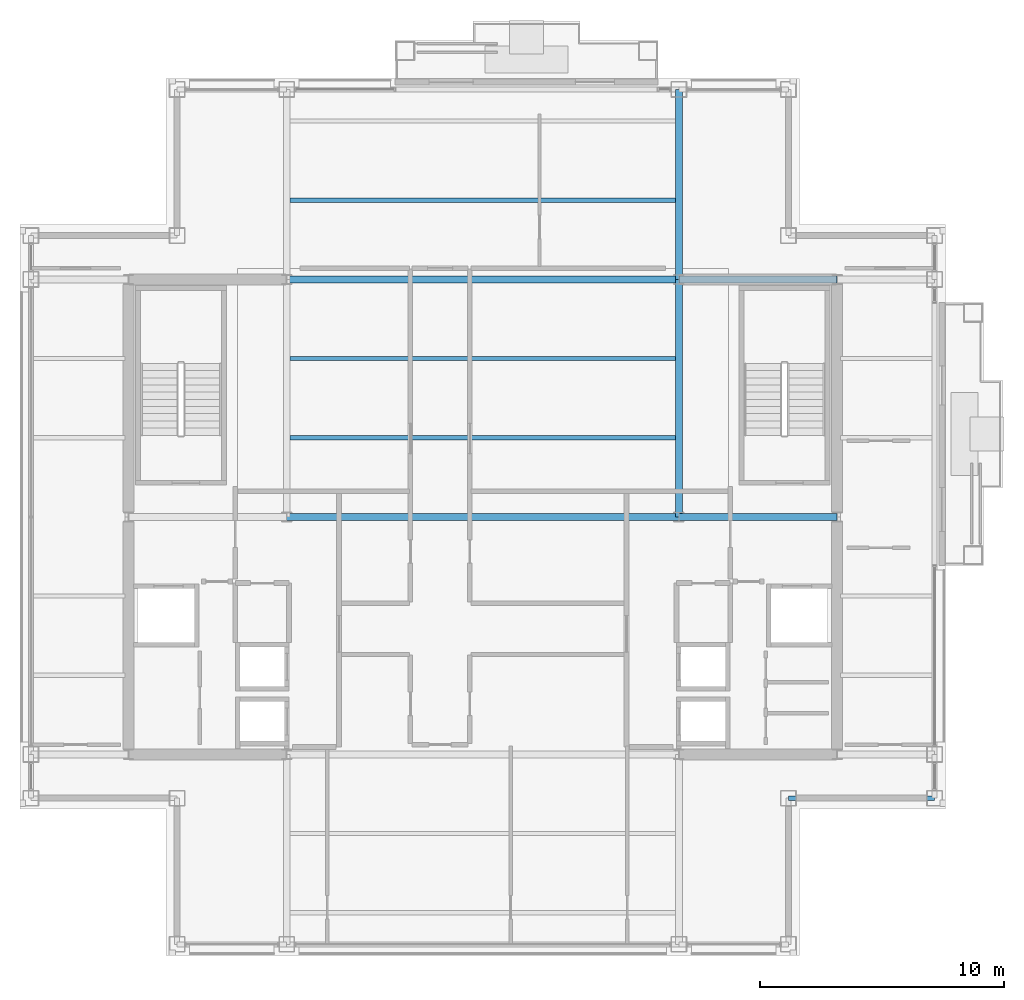
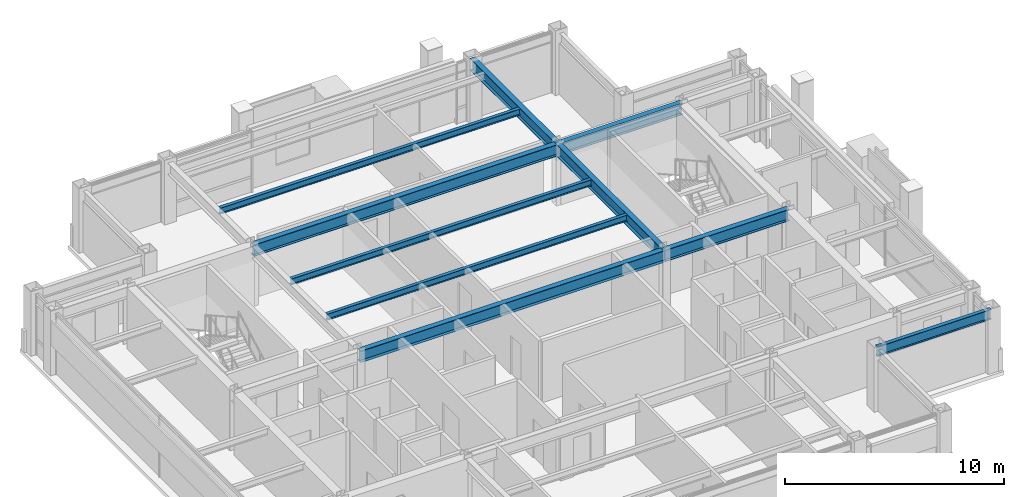
# One storey, part 10 of 24: 10 beams.
"""IFC4 building model written with IfcOpenShell, lengths in metres."""

from ifc_helpers import new_model, si_unit, direction, frame, origin, origin_2d, place, context, subcontext, project, spatial, i_section, extrude, material, material_profile, profile_set, type_object, element, save


model = new_model("IFC4")

# Units and contexts
model_context = context("Model", 3, precision=1e-05, world=origin(), true_north=direction((0.0, 1.0)))
body_context = subcontext(model_context, "Body", "Model", "MODEL_VIEW")
ifc_project = project(units=[si_unit("LENGTHUNIT", "METRE"), si_unit("AREAUNIT", "SQUARE_METRE"), si_unit("VOLUMEUNIT", "CUBIC_METRE"), si_unit("PLANEANGLEUNIT", "RADIAN"), si_unit("MASSUNIT", "GRAM", prefix="KILO")], contexts=[model_context])

# Site, building, storey
site_placement = place(None, origin())
site = spatial("IfcSite", under=ifc_project, at=site_placement, CompositionType="ELEMENT")
building_placement = place(site_placement, origin())
building = spatial("IfcBuilding", under=site, at=building_placement, Name="Brelmoor Portico Tower", CompositionType="ELEMENT")
storey_placement = place(building_placement, frame((0.0, 0.0, 229.199951171875)))
storey = spatial("IfcBuildingStorey", under=building, at=storey_placement, Name="L60", CompositionType="ELEMENT", Elevation=229.199951171875)

# Beams
ifc_material = material(Name="Steel Q355B", Category="steel")
ifc_material_profile_1 = material_profile(ifc_material, i_section(OverallWidth=0.175048828125, OverallDepth=0.35009765625, WebThickness=0.007080078125, FlangeThickness=0.010986328125, at=origin_2d()), Name="HN 350x175x7x11")
ifc_profile_set_1 = profile_set([ifc_material_profile_1], Name="Steel Q355B")
beam_type_1 = type_object("IfcBeamType", Name="BM-JS-350", PredefinedType="JOIST", material=ifc_profile_set_1)
for number, where, z_axis, x_axis, name in (
    (1, (-7.909912109375, 3.25, 3.22509765625), (1.0, 0.0, 0.0), (0.0, 1.0, 0.0), "L60 Secondary Composite Joist JS-C03"),
    (2, (-7.909912109375, 6.5, 3.22509765625), (1.0, 0.0, 0.0), (0.0, 1.0, 0.0), "L60 Secondary Composite Joist JS-C04"),
    (3, (-7.909912109375, 13.0, 3.22509765625), (1.0, 0.0, 0.0), (0.0, 1.0, 0.0), "L60 Secondary Composite Joist JS-C05"),
):
    element("IfcBeam", number, at=place(storey_placement, frame(where, z_axis=z_axis, x_axis=x_axis)), inside=storey, type_object=beam_type_1, Name=name, PredefinedType="JOIST", context=body_context, shape_type="SweptSolid", body=[
        extrude(i_section(OverallWidth=0.175048828125, OverallDepth=0.35009765625, WebThickness=0.007080078125, FlangeThickness=0.010986328125, at=origin_2d()), origin(), (0.0, 0.0, 1.0), 15.81982421875),
    ])
ifc_material_profile_2 = material_profile(ifc_material, i_section(OverallWidth=0.280029296875, OverallDepth=0.64990234375, WebThickness=0.012939453125, FlangeThickness=0.02197265625, at=origin_2d()), Name="HN 650x280x13x22")
ifc_profile_set_2 = profile_set([ifc_material_profile_2], Name="Steel Q355B")
beam_type_2 = type_object("IfcBeamType", Name="BM-PG-650", PredefinedType="BEAM", material=ifc_profile_set_2)
beam_1_placement = place(storey_placement, frame((8.050048828125, 0.0, 3.074951171875), z_axis=(0.0, 1.0, 0.0), x_axis=(-1.0, 0.0, 0.0)))
element("IfcBeam", 4, at=beam_1_placement, inside=storey, type_object=beam_type_2, Name="L60 Primary Floor Girder PG-07", PredefinedType="BEAM", context=body_context, shape_type="SweptSolid", body=[
    extrude(i_section(OverallWidth=0.280029296875, OverallDepth=0.64990234375, WebThickness=0.012939453125, FlangeThickness=0.02197265625, at=origin_2d()), origin(), (0.0, 0.0, 1.0), 9.75),
])
beam_2_placement = place(storey_placement, frame((8.050048828125, 9.75, 3.074951171875), z_axis=(0.0, 1.0, 0.0), x_axis=(-1.0, 0.0, 0.0)))
element("IfcBeam", 5, at=beam_2_placement, inside=storey, type_object=beam_type_2, Name="L60 Primary Floor Girder PG-08", PredefinedType="BEAM", context=body_context, shape_type="SweptSolid", body=[
    extrude(i_section(OverallWidth=0.280029296875, OverallDepth=0.64990234375, WebThickness=0.012939453125, FlangeThickness=0.02197265625, at=origin_2d()), origin(), (0.0, 0.0, 1.0), 7.800048828125),
])
beam_3_placement = place(storey_placement, frame((-8.050048828125, 0.0, 3.074951171875), z_axis=(1.0, 0.0, 0.0), x_axis=(0.0, 1.0, 0.0)))
element("IfcBeam", 6, at=beam_3_placement, inside=storey, type_object=beam_type_2, Name="L60 Primary Floor Girder PG-17", PredefinedType="BEAM", context=body_context, shape_type="SweptSolid", body=[
    extrude(i_section(OverallWidth=0.280029296875, OverallDepth=0.64990234375, WebThickness=0.012939453125, FlangeThickness=0.02197265625, at=origin_2d()), origin(), (0.0, 0.0, 1.0), 16.10009765625),
])
beam_4_placement = place(storey_placement, frame((8.050048828125, 0.0, 3.074951171875), z_axis=(1.0, 0.0, 0.0), x_axis=(0.0, 1.0, 0.0)))
element("IfcBeam", 7, at=beam_4_placement, inside=storey, type_object=beam_type_2, Name="L60 Primary Floor Girder PG-18", PredefinedType="BEAM", context=body_context, shape_type="SweptSolid", body=[
    extrude(i_section(OverallWidth=0.280029296875, OverallDepth=0.64990234375, WebThickness=0.012939453125, FlangeThickness=0.02197265625, at=origin_2d()), origin(), (0.0, 0.0, 1.0), 6.5),
])
beam_5_placement = place(storey_placement, frame((-8.050048828125, 9.75, 3.074951171875), z_axis=(1.0, 0.0, 0.0), x_axis=(0.0, 1.0, 0.0)))
element("IfcBeam", 8, at=beam_5_placement, inside=storey, type_object=beam_type_2, Name="L60 Primary Floor Girder PG-21", PredefinedType="BEAM", context=body_context, shape_type="SweptSolid", body=[
    extrude(i_section(OverallWidth=0.280029296875, OverallDepth=0.64990234375, WebThickness=0.012939453125, FlangeThickness=0.02197265625, at=origin_2d()), origin(), (0.0, 0.0, 1.0), 16.10009765625),
])
beam_6_placement = place(storey_placement, frame((8.050048828125, 9.75, 3.074951171875), z_axis=(1.0, 0.0, 0.0), x_axis=(0.0, 1.0, 0.0)))
element("IfcBeam", 9, at=beam_6_placement, inside=storey, type_object=beam_type_2, Name="L60 Primary Floor Girder PG-22", PredefinedType="BEAM", context=body_context, shape_type="SweptSolid", body=[
    extrude(i_section(OverallWidth=0.280029296875, OverallDepth=0.64990234375, WebThickness=0.012939453125, FlangeThickness=0.02197265625, at=origin_2d()), origin(), (0.0, 0.0, 1.0), 6.5),
])
ifc_material_profile_3 = material_profile(ifc_material, i_section(OverallWidth=0.199951171875, OverallDepth=0.550048828125, WebThickness=0.010009765625, FlangeThickness=0.01611328125, at=origin_2d()), Name="HN 550x200x10x16")
ifc_profile_set_3 = profile_set([ifc_material_profile_3], Name="Steel Q355B")
beam_type_3 = type_object("IfcBeamType", Name="BM-SP-550", PredefinedType="SPANDREL", material=ifc_profile_set_3)
beam_7_placement = place(storey_placement, frame((12.550048828125, -11.550048828125, 3.125), z_axis=(1.0, 0.0, 0.0), x_axis=(0.0, 1.0, 0.0)))
element("IfcBeam", 10, at=beam_7_placement, inside=storey, type_object=beam_type_3, Name="L60 Perimeter Spandrel Beam SP-05", PredefinedType="SPANDREL", context=body_context, shape_type="SweptSolid", body=[
    extrude(i_section(OverallWidth=0.199951171875, OverallDepth=0.550048828125, WebThickness=0.010009765625, FlangeThickness=0.01611328125, at=origin_2d()), origin(), (0.0, 0.0, 1.0), 6.0),
])

save(model, "model.ifc")
